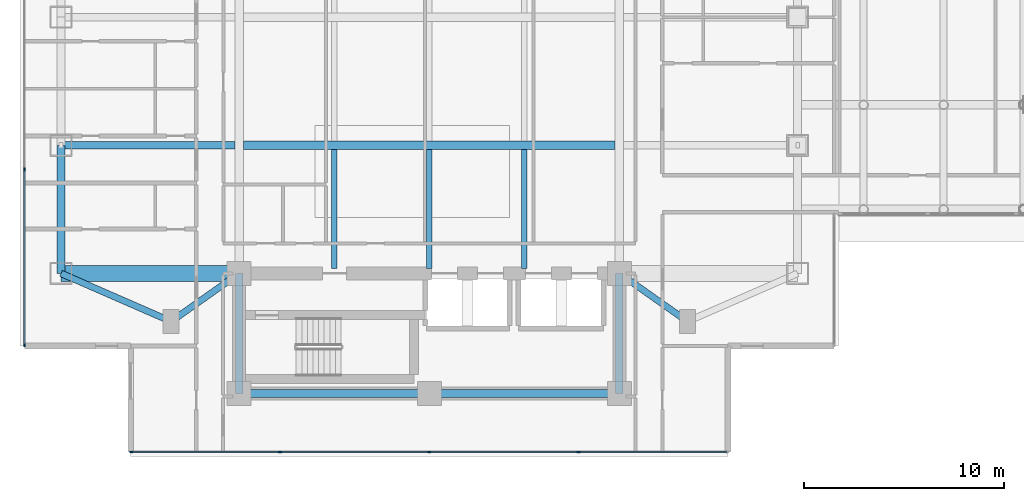
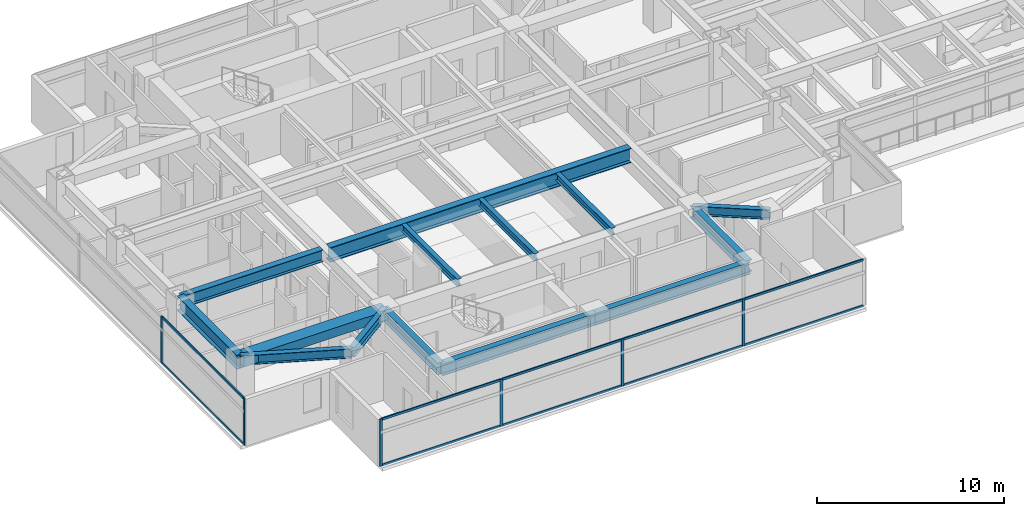
# One storey, part 2 of 29: 16 members, 14 beams, 2 elements without a shape of their own.
"""IFC4 building model written with IfcOpenShell, lengths in metres."""

import ifcopenshell
import ifcopenshell.guid

model = None  # the IFC model being written
_history = None  # IfcOwnerHistory: only IFC2X3 demands one
_inside = {}  # id of a spatial element -> (the spatial element, [elements in it])
_under = {}  # id of a project, library or spatial element -> (it, [spatial elements below it])
_declared = {}  # id of a project -> (the project, [libraries it declares])
_typed = {}  # id of a type object -> (the type object, [elements of that type])
_made_of = {}  # id of a material, layer set ... -> (it, [elements and type objects made of it])


def new_model(schema):
    """Start an empty IFC model of exactly this schema.

    Asked for "IFC4X3", IfcOpenShell would pick the latest addendum, in which some entities
    have other attributes; the version numbers below select the first issue.
    IFC2X3 requires an IfcOwnerHistory on every rooted entity: one is made here for all.
    """
    global model, _history
    if schema == "IFC4X3":
        model = ifcopenshell.file(schema_version=(4, 3, 0, 0))
    else:
        model = ifcopenshell.file(schema=schema)
    _inside.clear()
    _under.clear()
    _declared.clear()
    _typed.clear()
    _made_of.clear()
    _history = None
    if model.schema == "IFC2X3":
        org = make("IfcOrganization", Name="unknown")
        user = make(
            "IfcPersonAndOrganization",
            ThePerson=make("IfcPerson", FamilyName="unknown"),
            TheOrganization=org,
        )
        app = make(
            "IfcApplication",
            ApplicationDeveloper=org,
            Version="unknown",
            ApplicationFullName="unknown",
            ApplicationIdentifier="unknown",
        )
        _history = make(
            "IfcOwnerHistory",
            OwningUser=user,
            OwningApplication=app,
            ChangeAction="ADDED",
            CreationDate=0,
        )
    return model


def make(cls, **values):
    """One entity of the class cls with the attributes given. An attribute that is None is left unset."""
    return model.create_entity(
        cls, **{name: value for name, value in values.items() if value is not None}
    )


def rooted(cls, **values):
    """An entity with a GlobalId (a new one), such as an element, a storey or a relation."""
    return make(cls, GlobalId=ifcopenshell.guid.new(), OwnerHistory=_history, **values)


def si_unit(unit_type, name, prefix=None):
    """IfcSIUnit, for example si_unit("LENGTHUNIT", "METRE", prefix="MILLI")."""
    return make("IfcSIUnit", UnitType=unit_type, Prefix=prefix, Name=name)


def assignment(units):
    """IfcUnitAssignment: the units of a project."""
    return None if units is None else make("IfcUnitAssignment", Units=units)


def point(xyz):
    """IfcCartesianPoint."""
    return None if xyz is None else make("IfcCartesianPoint", Coordinates=xyz)


def direction(xyz):
    """IfcDirection."""
    return None if xyz is None else make("IfcDirection", DirectionRatios=xyz)


def frame(location, z_axis=None, x_axis=None):
    """IfcAxis2Placement3D, a coordinate frame: its origin and axes. An axis left out is left unset."""
    return make(
        "IfcAxis2Placement3D",
        Location=point(location),
        Axis=direction(z_axis),
        RefDirection=direction(x_axis),
    )


def frame_2d(location, x_axis=None):
    """IfcAxis2Placement2D, a coordinate frame in the plane: its origin and x axis."""
    return make(
        "IfcAxis2Placement2D", Location=point(location), RefDirection=direction(x_axis)
    )


def origin():
    """The frame at (0, 0, 0) with its axes left unset."""
    return frame((0.0, 0.0, 0.0))


def origin_2d():
    """The frame at (0, 0) in the plane with its x axis left unset."""
    return frame_2d((0.0, 0.0))


def place(relative_to, where):
    """IfcLocalPlacement: puts the frame where relative to a parent placement (None: the world)."""
    return make(
        "IfcLocalPlacement", PlacementRelTo=relative_to, RelativePlacement=where
    )


def context(
    kind, dimensions, precision=None, world=None, true_north=None, identifier=None
):
    """IfcGeometricRepresentationContext, for example the 3D "Model" context."""
    return make(
        "IfcGeometricRepresentationContext",
        ContextIdentifier=identifier,
        ContextType=kind,
        CoordinateSpaceDimension=dimensions,
        Precision=precision,
        WorldCoordinateSystem=world,
        TrueNorth=true_north,
    )


def subcontext(parent, identifier, kind, view, scale=None):
    """IfcGeometricRepresentationSubContext, for example "Body" below "Model"."""
    return make(
        "IfcGeometricRepresentationSubContext",
        ContextIdentifier=identifier,
        ContextType=kind,
        ParentContext=parent,
        TargetScale=scale,
        TargetView=view,
    )


def project(units=None, contexts=None):
    """IfcProject with its units and contexts."""
    return rooted(
        "IfcProject",
        Name="project",
        RepresentationContexts=contexts,
        UnitsInContext=assignment(units),
    )


def spatial(cls, under=None, at=None, **own):
    """A site, building, storey or space (cls), placed at a placement, below another one or the project."""
    s = rooted(cls, ObjectPlacement=at, **own)
    if under is not None:
        _under.setdefault(under.id(), (under, []))[1].append(s)
    return s


def profile(cls, at=None, kind="AREA", **sizes):
    """A parametric profile (cls). Its sizes go by their IFC names, for example OverallWidth=200.0."""
    return make(cls, ProfileType=kind, Position=at, **sizes)


def rectangle(**sizes):
    """IfcRectangleProfileDef."""
    return profile("IfcRectangleProfileDef", **sizes)


def i_section(**sizes):
    """IfcIShapeProfileDef."""
    return profile("IfcIShapeProfileDef", **sizes)


def extrude(swept, where, along, depth):
    """IfcExtrudedAreaSolid: the profile swept, set in the frame where, extruded along a direction by depth."""
    return make(
        "IfcExtrudedAreaSolid",
        SweptArea=swept,
        Position=where,
        ExtrudedDirection=direction(along),
        Depth=depth,
    )


def shape(context_of_items, identifier, shape_type, items):
    """IfcShapeRepresentation: the items that make up one representation, for example the "Body"."""
    return make(
        "IfcShapeRepresentation",
        ContextOfItems=context_of_items,
        RepresentationIdentifier=identifier,
        RepresentationType=shape_type,
        Items=items,
    )


def material(Name=None, Category=None):
    """IfcMaterial."""
    return make("IfcMaterial", Name=Name, Category=Category)


def material_profile(
    of_material, cross_section, Name=None, Category=None, Priority=None
):
    """IfcMaterialProfile: a cross section and its material."""
    return make(
        "IfcMaterialProfile",
        Name=Name,
        Material=of_material,
        Profile=cross_section,
        Priority=Priority,
        Category=Category,
    )


def profile_set(profiles, Name=None, composite=None):
    """IfcMaterialProfileSet."""
    return make(
        "IfcMaterialProfileSet",
        Name=Name,
        MaterialProfiles=profiles,
        CompositeProfile=composite,
    )


def made_of(thing, what):
    """Note that an element or type object is made of a material, layer set ...; save() writes the relation."""
    if what is not None:
        _made_of.setdefault(what.id(), (what, []))[1].append(thing)
    return thing


def type_object(cls, material=None, **own):
    """A type object (cls), such as IfcWallType, which elements share."""
    return made_of(rooted(cls, **own), material)


def element(
    cls,
    number,
    at=None,
    inside=None,
    cuts=None,
    type_object=None,
    material=None,
    context=None,
    identifier="Body",
    shape_type=None,
    held_by="IfcProductDefinitionShape",
    body=None,
    shapes=None,
    **own,
):
    """One element of the class cls, such as IfcWall. Its Tag is "e" and its number.

    at: its placement. inside: the storey or other place that contains it. cuts: it is an
    opening in that element (IfcRelVoidsElement). A single representation is given by context,
    identifier, shape_type and body (its items); several are given by shapes. held_by: the class
    of the entity that holds the representations. save() writes the other relations.
    """
    e = rooted(cls, Tag="e%d" % number, ObjectPlacement=at, **own)
    if body is not None:
        shapes = [shape(context, identifier, shape_type, body)]
    if shapes is not None:
        e.Representation = make(held_by, Representations=shapes)
    if inside is not None:
        _inside.setdefault(inside.id(), (inside, []))[1].append(e)
    if cuts is not None:
        rooted(
            "IfcRelVoidsElement", RelatingBuildingElement=cuts, RelatedOpeningElement=e
        )
    if type_object is not None:
        _typed.setdefault(type_object.id(), (type_object, []))[1].append(e)
    return made_of(e, material)


def aggregate(whole, parts):
    """IfcRelAggregates: a whole, such as a stair, and the parts it consists of."""
    return rooted("IfcRelAggregates", RelatingObject=whole, RelatedObjects=parts)


def save(model, path):
    """Write the relations noted so far, then the file.

    IfcRelAggregates (storeys below a building ...), IfcRelContainedInSpatialStructure (elements
    in a storey), IfcRelDefinesByType, IfcRelAssociatesMaterial and IfcRelDeclares: one each for
    every whole, place, type object, material and project.
    """
    for whole, parts in _under.values():
        aggregate(whole, parts)
    for where, things in _inside.values():
        rooted(
            "IfcRelContainedInSpatialStructure",
            RelatedElements=things,
            RelatingStructure=where,
        )
    for kind, things in _typed.values():
        rooted("IfcRelDefinesByType", RelatedObjects=things, RelatingType=kind)
    for what, things in _made_of.values():
        rooted("IfcRelAssociatesMaterial", RelatedObjects=things, RelatingMaterial=what)
    for by, libraries in _declared.values():
        rooted("IfcRelDeclares", RelatingContext=by, RelatedDefinitions=libraries)
    model.write(path)


model = new_model("IFC4")

# Units and contexts
model_context = context("Model", 3, precision=1e-05, world=origin(), true_north=direction((0.0, 1.0)))
body_context = subcontext(model_context, "Body", "Model", "MODEL_VIEW")
ifc_project = project(units=[si_unit("LENGTHUNIT", "METRE"), si_unit("AREAUNIT", "SQUARE_METRE"), si_unit("VOLUMEUNIT", "CUBIC_METRE"), si_unit("PLANEANGLEUNIT", "RADIAN"), si_unit("MASSUNIT", "GRAM", prefix="KILO")], contexts=[model_context])

# Site, building, storey
site_placement = place(None, origin())
site = spatial("IfcSite", under=ifc_project, at=site_placement, CompositionType="ELEMENT")
building_placement = place(site_placement, origin())
building = spatial("IfcBuilding", under=site, at=building_placement, Name="Mirazonda Arch Towers", CompositionType="ELEMENT")
storey_placement = place(building_placement, frame((0.0, 0.0, 88.39990234375)))
storey = spatial("IfcBuildingStorey", under=building, at=storey_placement, Name="L24", CompositionType="ELEMENT", Elevation=88.39990234375)

# Beams
ifc_material_1 = material(Name="Steel ASTM A992 Grade 50", Category="steel")
ifc_material_profile_1 = material_profile(ifc_material_1, i_section(OverallWidth=0.41796875, OverallDepth=0.927001953125, WebThickness=0.019287109375, FlangeThickness=0.031982421875, at=origin_2d()), Name="W36X231")
ifc_profile_set_1 = profile_set([ifc_material_profile_1], Name="Steel ASTM A992 Grade 50")
beam_type_1 = type_object("IfcBeamType", Name="BM-EXT-W36X231", PredefinedType="USERDEFINED", material=ifc_profile_set_1)
beam_1_placement = place(storey_placement, frame((2.10009765625, 18.39990234375, 2.61669921875), z_axis=(0.0, 1.0, 0.0), x_axis=(-1.0, 0.0, 0.0)))
element("IfcBeam", 1, at=beam_1_placement, inside=storey, type_object=beam_type_1, Name="L24 Floor Beam BM-T1-L24-NS-W-18", ObjectType="GIRDER", PredefinedType="USERDEFINED", context=body_context, shape_type="SweptSolid", body=[
    extrude(i_section(OverallWidth=0.41796875, OverallDepth=0.927001953125, WebThickness=0.019287109375, FlangeThickness=0.031982421875, at=origin_2d()), origin(), (0.0, 0.0, 1.0), 6.400146484375),
])
ifc_material_profile_2 = material_profile(ifc_material_1, i_section(OverallWidth=0.280029296875, OverallDepth=0.462890625, WebThickness=0.0107421875, FlangeThickness=0.017333984375, at=origin_2d()), Name="W18X76")
ifc_profile_set_2 = profile_set([ifc_material_profile_2], Name="Steel ASTM A992 Grade 50")
beam_type_2 = type_object("IfcBeamType", Name="BM-INT-W18X76", PredefinedType="JOIST", material=ifc_profile_set_2)
for number, where, z_axis, x_axis, name in (
    (2, (15.75, 18.639892578125, 2.8486328125), (0.0, 1.0, 0.0), (-1.0, 0.0, 0.0), "L24 Floor Beam BM-T1-L24-J-157-18"),
    (3, (20.5, 18.639892578125, 2.8486328125), (0.0, 1.0, 0.0), (-1.0, 0.0, 0.0), "L24 Floor Beam BM-T1-L24-J-205-18"),
    (4, (25.25, 18.639892578125, 2.8486328125), (0.0, 1.0, 0.0), (-1.0, 0.0, 0.0), "L24 Floor Beam BM-T1-L24-J-252-18"),
):
    element("IfcBeam", number, at=place(storey_placement, frame(where, z_axis=z_axis, x_axis=x_axis)), inside=storey, type_object=beam_type_2, Name=name, PredefinedType="JOIST", context=body_context, shape_type="SweptSolid", body=[
        extrude(i_section(OverallWidth=0.280029296875, OverallDepth=0.462890625, WebThickness=0.0107421875, FlangeThickness=0.017333984375, at=origin_2d()), origin(), (0.0, 0.0, 1.0), 5.95263671875),
    ])
ifc_material_profile_3 = material_profile(ifc_material_1, i_section(OverallWidth=0.324951171875, OverallDepth=0.615966796875, WebThickness=0.013916015625, FlangeThickness=0.021484375, at=origin_2d()), Name="W24X117")
ifc_profile_set_3 = profile_set([ifc_material_profile_3], Name="Steel ASTM A992 Grade 50")
beam_type_3 = type_object("IfcBeamType", Name="BM-INT-W24X117", PredefinedType="BEAM", material=ifc_profile_set_3)
beam_2_placement = place(storey_placement, frame((7.60009765625, 16.0, 2.772216796875), z_axis=(0.816971114901, 0.576678591087, 0.0), x_axis=(-0.576678591087, 0.816971114901, 0.0)))
element("IfcBeam", 5, at=beam_2_placement, inside=storey, type_object=beam_type_3, Name="L24 Floor Beam BM-T1-L24-PL-SW1", PredefinedType="BEAM", context=body_context, shape_type="SweptSolid", body=[
    extrude(i_section(OverallWidth=0.324951171875, OverallDepth=0.615966796875, WebThickness=0.013916015625, FlangeThickness=0.021484375, at=origin_2d()), origin(), (0.0, 0.0, 1.0), 4.16162109375),
])
beam_3_placement = place(storey_placement, frame((7.60009765625, 16.0, 2.772216796875), z_axis=(-0.916545343703, 0.399930785183, 0.0), x_axis=(-0.399930785183, -0.916545343703, 0.0)))
element("IfcBeam", 6, at=beam_3_placement, inside=storey, type_object=beam_type_3, Name="L24 Floor Beam BM-T1-L24-PL-SW2", PredefinedType="BEAM", context=body_context, shape_type="SweptSolid", body=[
    extrude(i_section(OverallWidth=0.324951171875, OverallDepth=0.615966796875, WebThickness=0.013916015625, FlangeThickness=0.021484375, at=origin_2d()), origin(), (0.0, 0.0, 1.0), 6.000732421875),
])
beam_4_placement = place(storey_placement, frame((33.39990234375, 16.0, 2.772216796875), z_axis=(-0.816971114901, 0.576678591087, 0.0), x_axis=(-0.576678591087, -0.816971114901, 0.0)))
element("IfcBeam", 7, at=beam_4_placement, inside=storey, type_object=beam_type_3, Name="L24 Floor Beam BM-T1-L24-PL-SE1", PredefinedType="BEAM", context=body_context, shape_type="SweptSolid", body=[
    extrude(i_section(OverallWidth=0.324951171875, OverallDepth=0.615966796875, WebThickness=0.013916015625, FlangeThickness=0.021484375, at=origin_2d()), origin(), (0.0, 0.0, 1.0), 4.16162109375),
])
ifc_material_profile_4 = material_profile(ifc_material_1, i_section(OverallWidth=0.381103515625, OverallDepth=0.77294921875, WebThickness=0.0166015625, FlangeThickness=0.027099609375, at=origin_2d()), Name="W30X173")
ifc_profile_set_4 = profile_set([ifc_material_profile_4], Name="Steel ASTM A992 Grade 50")
beam_type_4 = type_object("IfcBeamType", Name="BM-INT-W30X173", PredefinedType="USERDEFINED", material=ifc_profile_set_4)
beam_5_placement = place(storey_placement, frame((2.10009765625, 24.800048828125, 2.693603515625), z_axis=(1.0, 0.0, 0.0), x_axis=(0.0, 1.0, 0.0)))
element("IfcBeam", 8, at=beam_5_placement, inside=storey, type_object=beam_type_4, Name="L24 Floor Beam BM-T1-L24-GW2", ObjectType="GIRDER", PredefinedType="USERDEFINED", context=body_context, shape_type="SweptSolid", body=[
    extrude(i_section(OverallWidth=0.381103515625, OverallDepth=0.77294921875, WebThickness=0.0166015625, FlangeThickness=0.027099609375, at=origin_2d()), origin(), (0.0, 0.0, 1.0), 8.6884765625),
])
for number, where, z_axis, x_axis, name in (
    (9, (11.0, 12.39990234375, 2.693603515625), (1.0, 0.0, 0.0), (0.0, 1.0, 0.0), "L24 Floor Beam BM-T1-L24-CS1"),
    (10, (20.5, 12.39990234375, 2.693603515625), (1.0, 0.0, 0.0), (0.0, 1.0, 0.0), "L24 Floor Beam BM-T1-L24-CS2"),
):
    element("IfcBeam", number, at=place(storey_placement, frame(where, z_axis=z_axis, x_axis=x_axis)), inside=storey, type_object=beam_type_4, Name=name, ObjectType="GIRDER", PredefinedType="USERDEFINED", context=body_context, shape_type="SweptSolid", body=[
        extrude(i_section(OverallWidth=0.381103515625, OverallDepth=0.77294921875, WebThickness=0.0166015625, FlangeThickness=0.027099609375, at=origin_2d()), origin(), (0.0, 0.0, 1.0), 9.5),
    ])
for number, where, z_axis, x_axis, name in (
    (11, (11.0, 12.39990234375, 2.693603515625), (0.0, 1.0, 0.0), (-1.0, 0.0, 0.0), "L24 Floor Beam BM-T1-L24-CSW"),
    (12, (30.0, 12.39990234375, 2.693603515625), (0.0, 1.0, 0.0), (-1.0, 0.0, 0.0), "L24 Floor Beam BM-T1-L24-CSE"),
):
    element("IfcBeam", number, at=place(storey_placement, frame(where, z_axis=z_axis, x_axis=x_axis)), inside=storey, type_object=beam_type_4, Name=name, ObjectType="GIRDER", PredefinedType="USERDEFINED", context=body_context, shape_type="SweptSolid", body=[
        extrude(i_section(OverallWidth=0.381103515625, OverallDepth=0.77294921875, WebThickness=0.0166015625, FlangeThickness=0.027099609375, at=origin_2d()), origin(), (0.0, 0.0, 1.0), 6.0),
    ])
ifc_material_profile_5 = material_profile(ifc_material_1, i_section(OverallWidth=0.423095703125, OverallDepth=0.947998046875, WebThickness=0.02392578125, FlangeThickness=0.042724609375, at=origin_2d()), Name="W36X302")
ifc_profile_set_5 = profile_set([ifc_material_profile_5], Name="Steel ASTM A992 Grade 50")
beam_type_5 = type_object("IfcBeamType", Name="BM-INT-W36X302", PredefinedType="USERDEFINED", material=ifc_profile_set_5)
beam_6_placement = place(storey_placement, frame((11.21142578125, 24.800048828125, 2.606201171875), z_axis=(1.0, 0.0, 0.0), x_axis=(0.0, 1.0, 0.0)))
element("IfcBeam", 13, at=beam_6_placement, inside=storey, type_object=beam_type_5, Name="L24 Floor Beam BM-T1-L24-GC2", ObjectType="GIRDER", PredefinedType="USERDEFINED", context=body_context, shape_type="SweptSolid", body=[
    extrude(i_section(OverallWidth=0.423095703125, OverallDepth=0.947998046875, WebThickness=0.02392578125, FlangeThickness=0.042724609375, at=origin_2d()), origin(), (0.0, 0.0, 1.0), 18.5771484375),
])
ifc_material_2 = material(Name="Concrete C60/75", Category="concrete")
ifc_material_profile_6 = material_profile(ifc_material_2, rectangle(XDim=0.800048828125, YDim=0.60009765625, at=origin_2d()), Name="RCCB800x600")
ifc_profile_set_6 = profile_set([ifc_material_profile_6], Name="Concrete C60/75")
beam_type_6 = type_object("IfcBeamType", Name="CB-INT-RCCB800x600", PredefinedType="SPANDREL", material=ifc_profile_set_6)
beam_7_placement = place(storey_placement, frame((2.10009765625, 18.39990234375, 2.780029296875), z_axis=(1.0, 0.0, 0.0), x_axis=(0.0, 1.0, 0.0)))
element("IfcBeam", 14, at=beam_7_placement, inside=storey, type_object=beam_type_6, Name="L24 Floor Beam CBC-T1-L24-SW", PredefinedType="SPANDREL", context=body_context, shape_type="SweptSolid", body=[
    extrude(rectangle(XDim=0.800048828125, YDim=0.60009765625, at=origin_2d()), origin(), (0.0, 0.0, 1.0), 8.89990234375),
])

# Curtain wall, members
ifc_material_3 = material(Name="Anodised Aluminium and Low-E Glass", Category="aluminium")
curtain_wall_type = type_object("IfcCurtainWallType", Name="CW-HTL-UNIT", PredefinedType="NOTDEFINED", material=ifc_material_3)
curtain_wall_1_placement = place(storey_placement, origin())
curtain_wall_1 = element("IfcCurtainWall", 15, at=curtain_wall_1_placement, inside=storey, type_object=curtain_wall_type, Name="L24 T1 S Facade CW-L24-T1-S", PredefinedType="NOTDEFINED")
ifc_material_4 = material(Name="Anodised Aluminium Alloy", Category="aluminium")
ifc_material_profile_7 = material_profile(ifc_material_4, rectangle(XDim=0.074951171875, YDim=0.1650390625, at=origin_2d()), Name="ALU-MULL-75x165")
ifc_profile_set_7 = profile_set([ifc_material_profile_7], Name="Anodised Aluminium Alloy")
member_type_1 = type_object("IfcMemberType", Name="MULL-CW-HTL-UNIT", PredefinedType="MULLION", material=ifc_profile_set_7)
member_1_placement = place(storey_placement, frame((27.96240234375, 9.469970703125, 0.0), z_axis=(0.0, 0.0, 1.0), x_axis=(0.0, -1.0, 0.0)))
member_1 = element("IfcMember", 16, at=member_1_placement, type_object=member_type_1, Name="CW-112 mullion 2", PredefinedType="MULLION", context=body_context, shape_type="SweptSolid", body=[
    extrude(rectangle(XDim=0.074951171875, YDim=0.1650390625, at=origin_2d()), origin(), (0.0, 0.0, 1.0), 3.06005859375),
])
member_2_placement = place(storey_placement, frame((20.5, 9.469970703125, 0.0), z_axis=(0.0, 0.0, 1.0), x_axis=(0.0, -1.0, 0.0)))
member_2 = element("IfcMember", 17, at=member_2_placement, type_object=member_type_1, Name="CW-112 mullion 3", PredefinedType="MULLION", context=body_context, shape_type="SweptSolid", body=[
    extrude(rectangle(XDim=0.074951171875, YDim=0.1650390625, at=origin_2d()), origin(), (0.0, 0.0, 1.0), 3.06005859375),
])
member_3_placement = place(storey_placement, frame((13.03759765625, 9.469970703125, 0.0), z_axis=(0.0, 0.0, 1.0), x_axis=(0.0, -1.0, 0.0)))
member_3 = element("IfcMember", 18, at=member_3_placement, type_object=member_type_1, Name="CW-112 mullion 4", PredefinedType="MULLION", context=body_context, shape_type="SweptSolid", body=[
    extrude(rectangle(XDim=0.074951171875, YDim=0.1650390625, at=origin_2d()), origin(), (0.0, 0.0, 1.0), 3.06005859375),
])
member_4_placement = place(storey_placement, frame((5.612548828125, 9.469970703125, 0.0), z_axis=(0.0, 0.0, 1.0), x_axis=(0.0, -1.0, 0.0)))
member_4 = element("IfcMember", 19, at=member_4_placement, type_object=member_type_1, Name="CW-112 mullion 5", PredefinedType="MULLION", context=body_context, shape_type="SweptSolid", body=[
    extrude(rectangle(XDim=0.074951171875, YDim=0.1650390625, at=origin_2d()), origin(), (0.0, 0.0, 1.0), 3.06005859375),
])

curtain_wall_2_placement = place(storey_placement, origin())
curtain_wall_2 = element("IfcCurtainWall", 20, at=curtain_wall_2_placement, inside=storey, type_object=curtain_wall_type, Name="L24 T1 W Facade CW-L24-T1-W", PredefinedType="NOTDEFINED")
member_5_placement = place(storey_placement, frame((0.27001953125, 23.591552734375, 0.0), z_axis=(0.0, 0.0, 1.0), x_axis=(1.0, 0.0, 0.0)))
member_5 = element("IfcMember", 21, at=member_5_placement, type_object=member_type_1, Name="CW-112 mullion 3", PredefinedType="MULLION", context=body_context, shape_type="SweptSolid", body=[
    extrude(rectangle(XDim=0.074951171875, YDim=0.1650390625, at=origin_2d()), origin(), (0.0, 0.0, 1.0), 3.06005859375),
])
member_6_placement = place(storey_placement, frame((0.27001953125, 14.8125, 0.0), z_axis=(0.0, 0.0, 1.0), x_axis=(1.0, 0.0, 0.0)))
member_6 = element("IfcMember", 22, at=member_6_placement, type_object=member_type_1, Name="CW-112 mullion 4", PredefinedType="MULLION", context=body_context, shape_type="SweptSolid", body=[
    extrude(rectangle(XDim=0.074951171875, YDim=0.1650390625, at=origin_2d()), origin(), (0.0, 0.0, 1.0), 3.06005859375),
])

# Member
ifc_material_profile_8 = material_profile(ifc_material_4, rectangle(XDim=0.074951171875, YDim=0.14501953125, at=origin_2d()), Name="ALU-TRAN-75x145")
ifc_profile_set_8 = profile_set([ifc_material_profile_8], Name="Anodised Aluminium Alloy")
member_type_2 = type_object("IfcMemberType", Name="TRAN-CW-HTL-UNIT", PredefinedType="USERDEFINED", material=ifc_profile_set_8)
member_7_placement = place(storey_placement, frame((35.35009765625, 9.469970703125, 0.03759765625), z_axis=(-1.0, 0.0, 0.0), x_axis=(0.0, -1.0, 0.0)))
member_7 = element("IfcMember", 23, at=member_7_placement, type_object=member_type_2, Name="CW-112 transom 1.1", ObjectType="TRANSOM", PredefinedType="USERDEFINED", context=body_context, shape_type="SweptSolid", body=[
    extrude(rectangle(XDim=0.074951171875, YDim=0.14501953125, at=origin_2d()), origin(), (0.0, 0.0, 1.0), 7.35009765625),
])

member_8_placement = place(storey_placement, frame((35.35009765625, 9.469970703125, 3.022705078125), z_axis=(-1.0, 0.0, 0.0), x_axis=(0.0, -1.0, 0.0)))
member_8 = element("IfcMember", 24, at=member_8_placement, type_object=member_type_2, Name="CW-112 transom 1.2", ObjectType="TRANSOM", PredefinedType="USERDEFINED", context=body_context, shape_type="SweptSolid", body=[
    extrude(rectangle(XDim=0.074951171875, YDim=0.14501953125, at=origin_2d()), origin(), (0.0, 0.0, 1.0), 7.35009765625),
])

member_9_placement = place(storey_placement, frame((27.925048828125, 9.469970703125, 0.03759765625), z_axis=(-1.0, 0.0, 0.0), x_axis=(0.0, -1.0, 0.0)))
member_9 = element("IfcMember", 25, at=member_9_placement, type_object=member_type_2, Name="CW-112 transom 2.1", ObjectType="TRANSOM", PredefinedType="USERDEFINED", context=body_context, shape_type="SweptSolid", body=[
    extrude(rectangle(XDim=0.074951171875, YDim=0.14501953125, at=origin_2d()), origin(), (0.0, 0.0, 1.0), 7.387451171875),
])

member_10_placement = place(storey_placement, frame((27.925048828125, 9.469970703125, 3.022705078125), z_axis=(-1.0, 0.0, 0.0), x_axis=(0.0, -1.0, 0.0)))
member_10 = element("IfcMember", 26, at=member_10_placement, type_object=member_type_2, Name="CW-112 transom 2.2", ObjectType="TRANSOM", PredefinedType="USERDEFINED", context=body_context, shape_type="SweptSolid", body=[
    extrude(rectangle(XDim=0.074951171875, YDim=0.14501953125, at=origin_2d()), origin(), (0.0, 0.0, 1.0), 7.387451171875),
])

member_11_placement = place(storey_placement, frame((20.46240234375, 9.469970703125, 0.03759765625), z_axis=(-1.0, 0.0, 0.0), x_axis=(0.0, -1.0, 0.0)))
member_11 = element("IfcMember", 27, at=member_11_placement, type_object=member_type_2, Name="CW-112 transom 3.1", ObjectType="TRANSOM", PredefinedType="USERDEFINED", context=body_context, shape_type="SweptSolid", body=[
    extrude(rectangle(XDim=0.074951171875, YDim=0.14501953125, at=origin_2d()), origin(), (0.0, 0.0, 1.0), 7.387451171875),
])

member_12_placement = place(storey_placement, frame((20.46240234375, 9.469970703125, 3.022705078125), z_axis=(-1.0, 0.0, 0.0), x_axis=(0.0, -1.0, 0.0)))
member_12 = element("IfcMember", 28, at=member_12_placement, type_object=member_type_2, Name="CW-112 transom 3.2", ObjectType="TRANSOM", PredefinedType="USERDEFINED", context=body_context, shape_type="SweptSolid", body=[
    extrude(rectangle(XDim=0.074951171875, YDim=0.14501953125, at=origin_2d()), origin(), (0.0, 0.0, 1.0), 7.387451171875),
])

member_13_placement = place(storey_placement, frame((13.0, 9.469970703125, 0.03759765625), z_axis=(-1.0, 0.0, 0.0), x_axis=(0.0, -1.0, 0.0)))
member_13 = element("IfcMember", 29, at=member_13_placement, type_object=member_type_2, Name="CW-112 transom 4.1", ObjectType="TRANSOM", PredefinedType="USERDEFINED", context=body_context, shape_type="SweptSolid", body=[
    extrude(rectangle(XDim=0.074951171875, YDim=0.14501953125, at=origin_2d()), origin(), (0.0, 0.0, 1.0), 7.35009765625),
])

member_14_placement = place(storey_placement, frame((13.0, 9.469970703125, 3.022705078125), z_axis=(-1.0, 0.0, 0.0), x_axis=(0.0, -1.0, 0.0)))
member_14 = element("IfcMember", 30, at=member_14_placement, type_object=member_type_2, Name="CW-112 transom 4.2", ObjectType="TRANSOM", PredefinedType="USERDEFINED", context=body_context, shape_type="SweptSolid", body=[
    extrude(rectangle(XDim=0.074951171875, YDim=0.14501953125, at=origin_2d()), origin(), (0.0, 0.0, 1.0), 7.35009765625),
])

aggregate(curtain_wall_1, [member_1, member_2, member_3, member_4, member_7, member_8, member_9, member_10, member_11, member_12, member_13, member_14])

member_15_placement = place(storey_placement, frame((0.27001953125, 23.55419921875, 0.03759765625), z_axis=(0.0, -1.0, 0.0), x_axis=(1.0, 0.0, 0.0)))
member_15 = element("IfcMember", 31, at=member_15_placement, type_object=member_type_2, Name="CW-112 transom 3.1", ObjectType="TRANSOM", PredefinedType="USERDEFINED", context=body_context, shape_type="SweptSolid", body=[
    extrude(rectangle(XDim=0.074951171875, YDim=0.14501953125, at=origin_2d()), origin(), (0.0, 0.0, 1.0), 8.7041015625),
])

member_16_placement = place(storey_placement, frame((0.27001953125, 23.55419921875, 3.022705078125), z_axis=(0.0, -1.0, 0.0), x_axis=(1.0, 0.0, 0.0)))
member_16 = element("IfcMember", 32, at=member_16_placement, type_object=member_type_2, Name="CW-112 transom 3.2", ObjectType="TRANSOM", PredefinedType="USERDEFINED", context=body_context, shape_type="SweptSolid", body=[
    extrude(rectangle(XDim=0.074951171875, YDim=0.14501953125, at=origin_2d()), origin(), (0.0, 0.0, 1.0), 8.7041015625),
])

aggregate(curtain_wall_2, [member_5, member_6, member_15, member_16])

save(model, "model.ifc")
